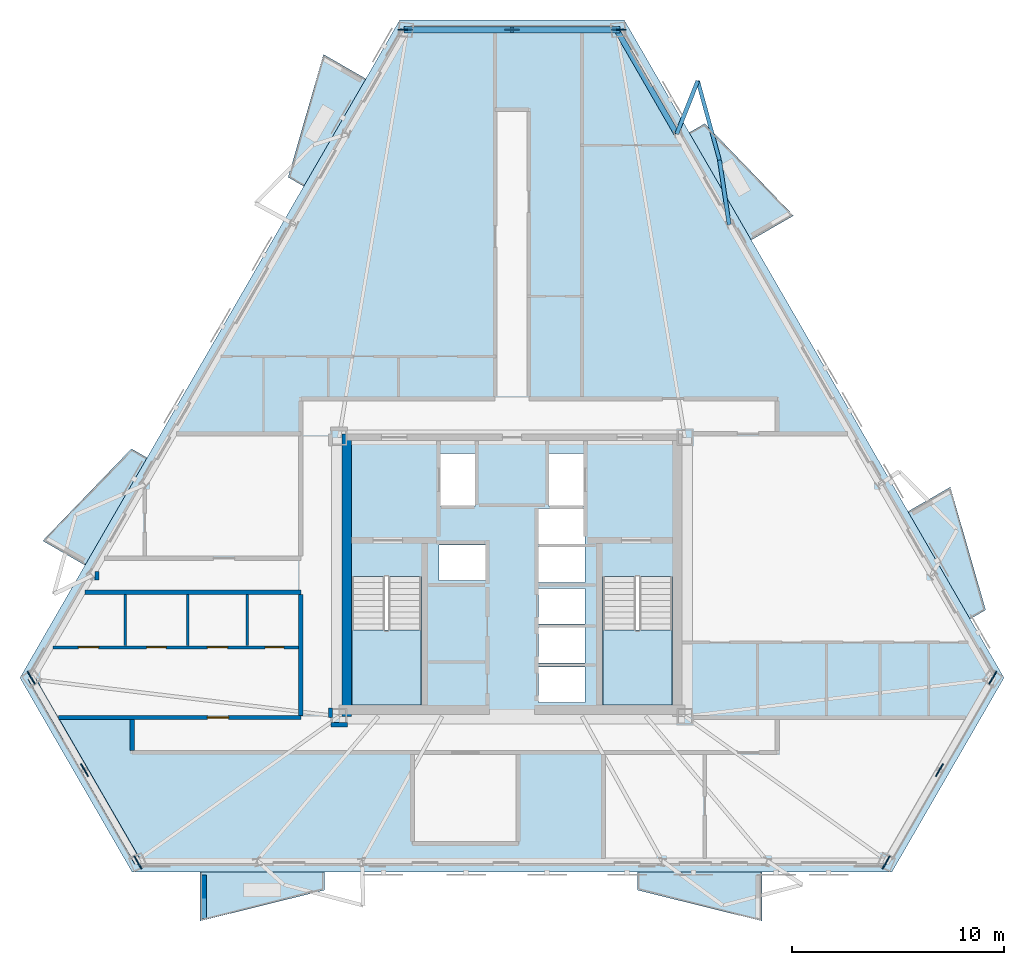
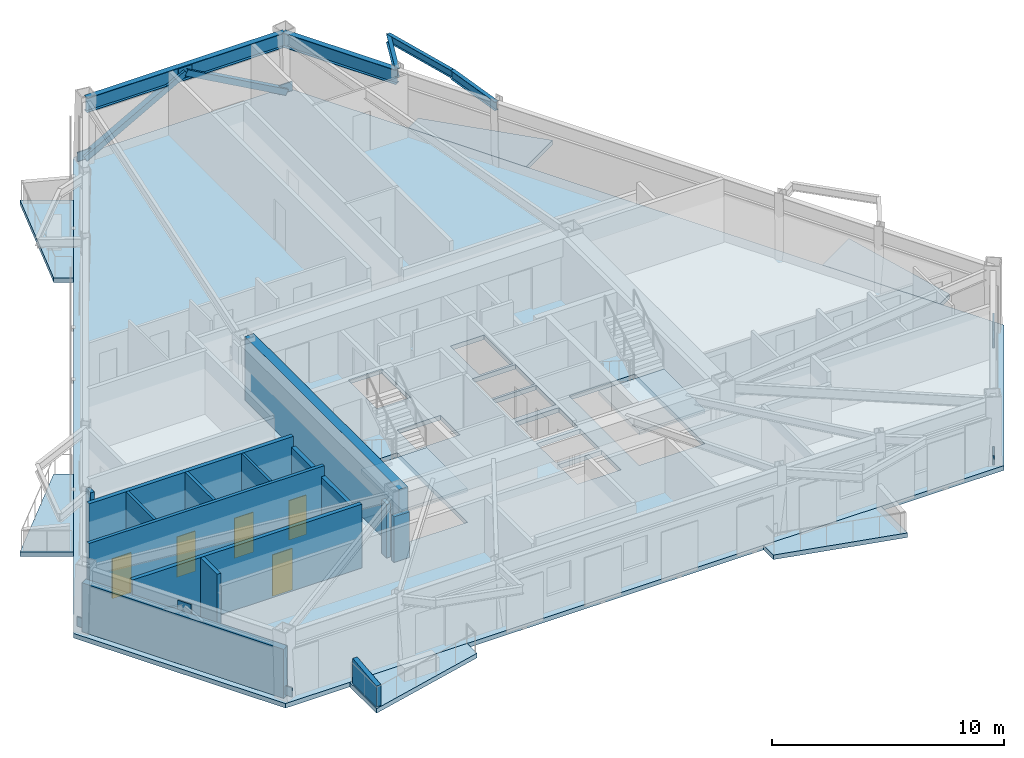
# One storey, part 2 of 9: 14 walls, 9 plates, 9 slabs, 5 beams, 5 doors, 2 members, 5 openings, 2 elements without a shape of their own.
"""IFC4 building model written with IfcOpenShell, lengths in metres."""

from ifc_helpers import new_model, si_unit, direction, frame, frame_2d, origin, origin_2d, place, context, subcontext, project, spatial, polyline, rectangle, hollow_rectangle, i_section, outline, extrude, material, layer, layer_set, material_profile, profile_set, type_object, element, fill, aggregate, save


model = new_model("IFC4")

# Units and contexts
model_context = context("Model", 3, precision=1e-05, world=origin(), true_north=direction((0.0, 1.0)))
body_context = subcontext(model_context, "Body", "Model", "MODEL_VIEW")
ifc_project = project(units=[si_unit("LENGTHUNIT", "METRE"), si_unit("AREAUNIT", "SQUARE_METRE"), si_unit("VOLUMEUNIT", "CUBIC_METRE"), si_unit("PLANEANGLEUNIT", "RADIAN"), si_unit("MASSUNIT", "GRAM", prefix="KILO")], contexts=[model_context])

# Site, building, storey
site_placement = place(None, origin())
site = spatial("IfcSite", under=ifc_project, at=site_placement, CompositionType="ELEMENT")
building_placement = place(site_placement, origin())
building = spatial("IfcBuilding", under=site, at=building_placement, Name="Oramaril Tower", CompositionType="ELEMENT")
storey_placement = place(building_placement, frame((0.0, 0.0, 138.60009765625)))
storey = spatial("IfcBuildingStorey", under=building, at=storey_placement, Name="L36", CompositionType="ELEMENT", Elevation=138.60009765625)

# Beams
ifc_material_1 = material(Name="Steel ASTM A572 Gr 50", Category="steel")
ifc_material_profile_1 = material_profile(ifc_material_1, i_section(OverallWidth=0.19091796875, OverallDepth=0.45703125, WebThickness=0.009033203125, FlangeThickness=0.014404296875, at=origin_2d()), Name="W18X50")
ifc_profile_set_1 = profile_set([ifc_material_profile_1], Name="Steel ASTM A572 Gr 50")
beam_type_1 = type_object("IfcBeamType", Name="BT-BB1", PredefinedType="BEAM", material=ifc_profile_set_1)
beam_1_placement = place(storey_placement, frame((47.736083984375, 34.169921875, 3.13134765625), z_axis=(-0.1483365802, 0.98893693377, 0.0), x_axis=(-0.98893693377, -0.1483365802, 0.0)))
element("IfcBeam", 1, at=beam_1_placement, inside=storey, type_object=beam_type_1, Name="L36 Balcony Column-Framed Cantilever 04.1", PredefinedType="BEAM", context=body_context, shape_type="SweptSolid", body=[
    extrude(i_section(OverallWidth=0.19091796875, OverallDepth=0.45703125, WebThickness=0.009033203125, FlangeThickness=0.014404296875, at=origin_2d()), origin(), (0.0, 0.0, 1.0), 3.082763671875),
])
beam_2_placement = place(storey_placement, frame((45.2626953125, 38.4541015625, 3.13134765625), z_axis=(0.369447284018, 0.929251690519, 0.0), x_axis=(-0.929251690519, 0.369447284018, 0.0)))
element("IfcBeam", 2, at=beam_2_placement, inside=storey, type_object=beam_type_1, Name="L36 Balcony Column-Framed Cantilever 04.2", PredefinedType="BEAM", context=body_context, shape_type="SweptSolid", body=[
    extrude(i_section(OverallWidth=0.19091796875, OverallDepth=0.45703125, WebThickness=0.009033203125, FlangeThickness=0.014404296875, at=origin_2d()), origin(), (0.0, 0.0, 1.0), 2.68701171875),
])
ifc_material_2 = material(Name="Steel ASTM A572 Gr 50", Category="steel")
ifc_material_profile_2 = material_profile(ifc_material_2, i_section(OverallWidth=0.177978515625, OverallDepth=0.404052734375, WebThickness=0.007568359375, FlangeThickness=0.010986328125, at=origin_2d()), Name="W16X36")
ifc_profile_set_2 = profile_set([ifc_material_profile_2], Name="Steel ASTM A572 Gr 50")
beam_type_2 = type_object("IfcBeamType", Name="BT-SB1", PredefinedType="BEAM", material=ifc_profile_set_2)
beam_3_placement = place(storey_placement, frame((47.27880859375, 37.218505859375, 3.157958984375), z_axis=(-0.264440915482, 0.964401888332, 0.0), x_axis=(-0.964401888332, -0.264440915482, 0.0)))
element("IfcBeam", 3, at=beam_3_placement, inside=storey, type_object=beam_type_2, Name="L36 Balcony Edge Tie Beam 04", PredefinedType="BEAM", context=body_context, shape_type="SweptSolid", body=[
    extrude(i_section(OverallWidth=0.177978515625, OverallDepth=0.404052734375, WebThickness=0.007568359375, FlangeThickness=0.010986328125, at=origin_2d()), origin(), (0.0, 0.0, 1.0), 3.8701171875),
])
ifc_material_3 = material(Name="Steel ASTM A572 Gr 50", Category="steel")
ifc_material_profile_3 = material_profile(ifc_material_3, i_section(OverallWidth=0.26708984375, OverallDepth=0.77001953125, WebThickness=0.015625, FlangeThickness=0.025390625, at=origin_2d()), Name="W30X132")
ifc_profile_set_3 = profile_set([ifc_material_profile_3], Name="Steel ASTM A572 Gr 50")
beam_type_3 = type_object("IfcBeamType", Name="BT-SP3", PredefinedType="SPANDREL", material=ifc_profile_set_3)
beam_4_placement = place(storey_placement, frame((45.2626953125, 38.4541015625, 2.974853515625), z_axis=(-0.499994095595, 0.866028812667, 0.0), x_axis=(-0.866028812667, -0.499994095595, 0.0)))
element("IfcBeam", 4, at=beam_4_placement, inside=storey, type_object=beam_type_3, Name="L36 Perimeter Spandrel 12", PredefinedType="SPANDREL", context=body_context, shape_type="SweptSolid", body=[
    extrude(i_section(OverallWidth=0.26708984375, OverallDepth=0.77001953125, WebThickness=0.015625, FlangeThickness=0.025390625, at=origin_2d()), origin(), (0.0, 0.0, 1.0), 5.6533203125),
])
beam_5_placement = place(storey_placement, frame((42.43603515625, 43.35009765625, 2.974853515625), z_axis=(-1.0, 0.0, 0.0), x_axis=(0.0, -1.0, 0.0)))
element("IfcBeam", 5, at=beam_5_placement, inside=storey, type_object=beam_type_3, Name="L36 Perimeter Spandrel 13", PredefinedType="SPANDREL", context=body_context, shape_type="SweptSolid", body=[
    extrude(i_section(OverallWidth=0.26708984375, OverallDepth=0.77001953125, WebThickness=0.015625, FlangeThickness=0.025390625, at=origin_2d()), origin(), (0.0, 0.0, 1.0), 9.8720703125),
])

# Members
ifc_material_4 = material(Name="Steel ASTM A572 Gr 50", Category="steel")
ifc_material_profile_4 = material_profile(ifc_material_4, hollow_rectangle(XDim=0.300048828125, YDim=0.300048828125, WallThickness=0.01611328125, at=origin_2d()), Name="HSS300X300X16")
ifc_profile_set_4 = profile_set([ifc_material_profile_4], Name="Steel ASTM A572 Gr 50")
member_type = type_object("IfcMemberType", Name="MT-KB2", PredefinedType="BRACE", material=ifc_profile_set_4)
for number, where, z_axis, x_axis, name in (
    (6, (42.5224609375, 43.359619140625, 0.179931640625), (-0.873812440942, 0.0, 0.486263116075), (0.0, -1.0, 0.0), "L36 Perimeter Chevron Brace KB-3A"),
    (7, (32.4775390625, 43.359619140625, 0.179931640625), (0.873812440942, 0.0, 0.486263116075), (0.0, 1.0, 0.0), "L36 Perimeter Chevron Brace KB-3B"),
):
    element("IfcMember", number, at=place(storey_placement, frame(where, z_axis=z_axis, x_axis=x_axis)), inside=storey, type_object=member_type, Name=name, PredefinedType="BRACE", context=body_context, shape_type="SweptSolid", body=[
        extrude(hollow_rectangle(XDim=0.300048828125, YDim=0.300048828125, WallThickness=0.01611328125, at=origin_2d()), origin(), (0.0, 0.0, 1.0), 5.747802734375),
    ])

# Plates
ifc_material_5 = material(Name="Steel ASTM A572 Gr 50", Category="steel")
ifc_layer_1 = layer(ifc_material_5, 0.06005859375)
ifc_layer_set_1 = layer_set([ifc_layer_1], Name="PLT-G60")
plate_type = type_object("IfcPlateType", Name="PLT-G60", PredefinedType="USERDEFINED", material=ifc_layer_set_1)
for number, where, z_axis, x_axis, name in (
    (8, (17.356689453125, 8.47021484375, 2.73486328125), (0.0, 0.0, 1.0), (0.500001511499, -0.866024531118, 0.0), "L36 Chevron Brace Gusset Plate BN-1"),
    (9, (14.845458984375, 12.81982421875, 0.099853515625), (0.0, 0.0, 1.0), (0.500001511499, -0.866024531118, 0.0), "L36 Chevron Brace Gusset Plate BN-1"),
    (10, (19.867919921875, 4.120849609375, 0.099853515625), (0.0, 0.0, 1.0), (0.500001511499, -0.866024531118, 0.0), "L36 Chevron Brace Gusset Plate BN-1"),
    (11, (57.643310546875, 8.47021484375, 2.73486328125), (0.0, 0.0, 1.0), (0.500001511499, 0.866024531118, 0.0), "L36 Chevron Brace Gusset Plate BN-1"),
    (12, (55.132080078125, 4.120849609375, 0.099853515625), (0.0, 0.0, 1.0), (0.500001511499, 0.866024531118, 0.0), "L36 Chevron Brace Gusset Plate BN-1"),
    (13, (60.154541015625, 12.81982421875, 0.099853515625), (0.0, 0.0, 1.0), (0.500001511499, 0.866024531118, 0.0), "L36 Chevron Brace Gusset Plate BN-1"),
    (14, (37.5, 43.359619140625, 2.73486328125), (0.0, 0.0, 1.0), (-1.0, 0.0, 0.0), "L36 Chevron Brace Gusset Plate BN-1"),
    (15, (42.5224609375, 43.359619140625, 0.099853515625), (0.0, 0.0, 1.0), (-1.0, 0.0, 0.0), "L36 Chevron Brace Gusset Plate BN-1"),
    (16, (32.4775390625, 43.359619140625, 0.099853515625), (0.0, 0.0, 1.0), (-1.0, 0.0, 0.0), "L36 Chevron Brace Gusset Plate BN-1"),
):
    element("IfcPlate", number, at=place(storey_placement, frame(where, z_axis=z_axis, x_axis=x_axis)), inside=storey, type_object=plate_type, Name=name, ObjectType="GUSSET", PredefinedType="USERDEFINED", context=body_context, shape_type="SweptSolid", body=[
        extrude(rectangle(XDim=0.679931640625, YDim=0.06005859375, at=origin_2d()), origin(), (0.0, 0.0, 1.0), 0.47998046875),
    ])

# Slabs
ifc_material_6 = material(Name="Concrete C40/50", Category="concrete")
ifc_layer_2 = layer(ifc_material_6, 0.199951171875)
ifc_layer_set_2 = layer_set([ifc_layer_2], Name="SLT-BAL20")
slab_type_1 = type_object("IfcSlabType", Name="SLT-BAL20", PredefinedType="FLOOR", material=ifc_layer_set_2)
slab_1_placement = place(storey_placement, frame((0.0, 0.0, -0.239990234375)))
element("IfcSlab", 17, at=slab_1_placement, inside=storey, type_object=slab_type_1, Name="L36 Cantilevered Balcony Slab L36-BAL-S2", PredefinedType="FLOOR", context=body_context, shape_type="SweptSolid", body=[
    extrude(outline(polyline([(43.422607421875, 3.662841796875), (49.272705078125, 3.662841796875), (49.272705078125, 1.36083984375), (43.422607421875, 2.810791015625), (43.422607421875, 3.662841796875)])), origin(), (0.0, 0.0, 1.0), 0.239990234375),
])
slab_2_placement = place(storey_placement, frame((0.0, 0.0, -0.239990234375)))
element("IfcSlab", 18, at=slab_2_placement, inside=storey, type_object=slab_type_1, Name="L36 Cantilevered Balcony Slab L36-BAL-NE1", PredefinedType="FLOOR", context=body_context, shape_type="SweptSolid", body=[
    extrude(outline(polyline([(59.083984375, 15.590087890625), (56.158935546875, 20.65625), (58.152587890625, 21.807373046875), (59.82177734375, 16.01611328125), (59.083984375, 15.590087890625)])), origin(), (0.0, 0.0, 1.0), 0.239990234375),
])
slab_3_placement = place(storey_placement, frame((0.0, 0.0, -0.239990234375)))
element("IfcSlab", 19, at=slab_3_placement, inside=storey, type_object=slab_type_1, Name="L36 Cantilevered Balcony Slab L36-BAL-NW2", PredefinedType="FLOOR", context=body_context, shape_type="SweptSolid", body=[
    extrude(outline(polyline([(20.303466796875, 23.189453125), (17.37841796875, 18.123291015625), (15.385009765625, 19.274169921875), (19.565673828125, 23.615478515625), (20.303466796875, 23.189453125)])), origin(), (0.0, 0.0, 1.0), 0.239990234375),
])
ifc_material_7 = material(Name="Concrete C50/60", Category="concrete")
ifc_layer_3 = layer(ifc_material_7, 0.239990234375)
ifc_layer_set_3 = layer_set([ifc_layer_3], Name="SLT-FLR24")
slab_type_2 = type_object("IfcSlabType", Name="SLT-FLR24", PredefinedType="FLOOR", material=ifc_layer_set_3)
slab_4_placement = place(storey_placement, frame((0.0, 0.0, -0.239990234375)))
element("IfcSlab", 20, at=slab_4_placement, inside=storey, type_object=slab_type_2, Name="L36 Structural Floor Slab", PredefinedType="FLOOR", context=body_context, shape_type="SweptSolid", body=[
    extrude(outline(polyline([(14.314208984375, 12.81982421875), (19.602294921875, 3.660888671875), (55.397705078125, 3.660888671875), (60.685791015625, 12.81982421875), (42.7880859375, 43.819580078125), (32.2119140625, 43.819580078125), (14.314208984375, 12.81982421875)]), holes=[polyline([(29.949951171875, 17.58935546875), (29.949951171875, 11.550048828125), (33.219970703125, 11.550048828125), (33.219970703125, 17.58935546875), (29.949951171875, 17.58935546875)]), polyline([(41.780029296875, 17.58935546875), (41.780029296875, 11.550048828125), (45.050048828125, 11.550048828125), (45.050048828125, 17.58935546875), (41.780029296875, 17.58935546875)]), polyline([(34.110107421875, 20.909912109375), (35.7900390625, 20.909912109375), (35.7900390625, 23.389892578125), (34.110107421875, 23.389892578125), (34.110107421875, 20.909912109375)]), polyline([(39.2099609375, 20.909912109375), (40.889892578125, 20.909912109375), (40.889892578125, 23.389892578125), (39.2099609375, 23.389892578125), (39.2099609375, 20.909912109375)]), polyline([(38.760009765625, 11.659912109375), (40.93994140625, 11.659912109375), (40.93994140625, 13.340087890625), (38.760009765625, 13.340087890625), (38.760009765625, 11.659912109375)]), polyline([(38.760009765625, 13.510009765625), (40.93994140625, 13.510009765625), (40.93994140625, 15.18994140625), (38.760009765625, 15.18994140625), (38.760009765625, 13.510009765625)]), polyline([(38.760009765625, 15.360107421875), (40.93994140625, 15.360107421875), (40.93994140625, 17.0400390625), (38.760009765625, 17.0400390625), (38.760009765625, 15.360107421875)]), polyline([(34.06005859375, 17.409912109375), (36.239990234375, 17.409912109375), (36.239990234375, 19.090087890625), (34.06005859375, 19.090087890625), (34.06005859375, 17.409912109375)]), polyline([(38.760009765625, 17.31005859375), (40.93994140625, 17.31005859375), (40.93994140625, 18.989990234375), (38.760009765625, 18.989990234375), (38.760009765625, 17.31005859375)]), polyline([(38.760009765625, 19.110107421875), (40.93994140625, 19.110107421875), (40.93994140625, 20.7900390625), (38.760009765625, 20.7900390625), (38.760009765625, 19.110107421875)])]), origin(), (0.0, 0.0, 1.0), 0.239990234375),
])

# Stair, slab
ifc_material_8 = material(Name="Concrete C50/60", Category="concrete")
stair_type = type_object("IfcStairType", Name="STT-DG-3600", PredefinedType="HALF_TURN_STAIR", material=ifc_material_8)
stair_1_placement = place(storey_placement, origin())
stair_1 = element("IfcStair", 21, at=stair_1_placement, inside=storey, type_object=stair_type, Name="L36 Protected PFP Exit Stair ST-1", PredefinedType="HALF_TURN_STAIR")
ifc_material_9 = material(Name="Concrete C50/60", Category="concrete")
ifc_layer_4 = layer(ifc_material_9, 0.199951171875)
ifc_layer_set_4 = layer_set([ifc_layer_4], Name="SLT-LND20")
slab_type_3 = type_object("IfcSlabType", Name="SLT-LND20", PredefinedType="LANDING", material=ifc_layer_set_4)
slab_5_placement = place(storey_placement, frame((0.0, 0.0, 1.599853515625)))
slab_5 = element("IfcSlab", 22, at=slab_5_placement, type_object=slab_type_3, Name="ST-1 landing 1", PredefinedType="LANDING", context=body_context, shape_type="SweptSolid", body=[
    extrude(outline(polyline([(29.949951171875, 15.070068359375), (29.949951171875, 11.550048828125), (33.219970703125, 11.550048828125), (33.219970703125, 15.070068359375), (29.949951171875, 15.070068359375)])), origin(), (0.0, 0.0, 1.0), 0.199951171875),
])
aggregate(stair_1, [slab_5])

stair_2_placement = place(storey_placement, origin())
stair_2 = element("IfcStair", 23, at=stair_2_placement, inside=storey, type_object=stair_type, Name="L36 Protected PFP Exit Stair ST-2", PredefinedType="HALF_TURN_STAIR")
slab_6_placement = place(storey_placement, frame((0.0, 0.0, 1.599853515625)))
slab_6 = element("IfcSlab", 24, at=slab_6_placement, type_object=slab_type_3, Name="ST-2 landing 1", PredefinedType="LANDING", context=body_context, shape_type="SweptSolid", body=[
    extrude(outline(polyline([(41.780029296875, 15.070068359375), (41.780029296875, 11.550048828125), (45.050048828125, 11.550048828125), (45.050048828125, 15.070068359375), (41.780029296875, 15.070068359375)])), origin(), (0.0, 0.0, 1.0), 0.199951171875),
])
aggregate(stair_2, [slab_6])

# Slabs
ifc_material_10 = material(Name="Concrete C40/50", Category="concrete")
ifc_layer_5 = layer(ifc_material_10, 0.18994140625)
ifc_layer_set_5 = layer_set([ifc_layer_5], Name="SLT-PLN19")
slab_type_4 = type_object("IfcSlabType", Name="SLT-PLN19", PredefinedType="FLOOR", material=ifc_layer_set_5)
slab_7_placement = place(storey_placement, frame((0.0, 0.0, -0.239990234375)))
element("IfcSlab", 25, at=slab_7_placement, inside=storey, type_object=slab_type_4, Name="L36 Tree Planter Balcony Slab L36-BAL-S1", PredefinedType="FLOOR", context=body_context, shape_type="SweptSolid", body=[
    extrude(outline(polyline([(22.80224609375, 3.662841796875), (28.65234375, 3.662841796875), (28.65234375, 2.810791015625), (22.80224609375, 1.36083984375), (22.80224609375, 3.662841796875)])), origin(), (0.0, 0.0, 1.0), 0.239990234375),
])
slab_8_placement = place(storey_placement, frame((0.0, 0.0, -0.239990234375)))
element("IfcSlab", 26, at=slab_8_placement, inside=storey, type_object=slab_type_4, Name="L36 Tree Planter Balcony Slab L36-BAL-NE2", PredefinedType="FLOOR", context=body_context, shape_type="SweptSolid", body=[
    extrude(outline(polyline([(48.773681640625, 33.44775390625), (45.848876953125, 38.51416015625), (46.586669921875, 38.940185546875), (50.767333984375, 34.598876953125), (48.773681640625, 33.44775390625)])), origin(), (0.0, 0.0, 1.0), 0.239990234375),
])
slab_9_placement = place(storey_placement, frame((0.0, 0.0, -0.239990234375)))
element("IfcSlab", 27, at=slab_9_placement, inside=storey, type_object=slab_type_4, Name="L36 Tree Planter Balcony Slab L36-BAL-NW1", PredefinedType="FLOOR", context=body_context, shape_type="SweptSolid", body=[
    extrude(outline(polyline([(30.61376953125, 41.047119140625), (27.688720703125, 35.98095703125), (26.950927734375, 36.406982421875), (28.6201171875, 42.1982421875), (30.61376953125, 41.047119140625)])), origin(), (0.0, 0.0, 1.0), 0.239990234375),
])

# Walls
ifc_material_11 = material(Name="Warm Cream Limestone", Category="masonry")
ifc_layer_6 = layer(ifc_material_11, 0.340087890625)
ifc_layer_set_6 = layer_set([ifc_layer_6], Name="WT-EXT34")
wall_type_1 = type_object("IfcWallType", Name="WT-EXT34", PredefinedType="SOLIDWALL", material=ifc_layer_set_6)
wall_1_placement = place(storey_placement, frame((14.845458984375, 12.81982421875, 0.0), z_axis=(0.0, 0.0, 1.0), x_axis=(0.500007885066, -0.866020851292, 0.0)))
element("IfcWall", 28, at=wall_1_placement, inside=storey, type_object=wall_type_1, Name="L36 Tower Limestone Facade Wall 1M", PredefinedType="SOLIDWALL", context=body_context, shape_type="SweptSolid", body=[
    extrude(rectangle(XDim=10.044677734375, YDim=0.340087890625, at=frame_2d((5.0224609375, 0.0))), origin(), (0.0, 0.0, 1.0), 2.579833984375),
])
ifc_material_12 = material(Name="Concrete C40/50", Category="concrete")
ifc_layer_7 = layer(ifc_material_12, 0.22998046875)
ifc_layer_set_7 = layer_set([ifc_layer_7], Name="WT-PRP23")
wall_type_2 = type_object("IfcWallType", Name="WT-PRP23", PredefinedType="PARAPET", material=ifc_layer_set_7)
wall_2_placement = place(storey_placement, frame((22.982421875, 3.522705078125, 0.0), z_axis=(0.0, 0.0, 1.0), x_axis=(0.0, -1.0, 0.0)))
element("IfcWall", 29, at=wall_2_placement, inside=storey, type_object=wall_type_2, Name="L36 Trapezoidal Balcony Frame Cheek L36-BAL-S1-L", PredefinedType="PARAPET", context=body_context, shape_type="SweptSolid", body=[
    extrude(outline(polyline([(0.0, 0.0), (2.0419921875, 0.0), (2.0419921875, 1.099853515625), (0.0, 1.31982421875), (0.0, 0.0)])), frame((0.0, 0.114990234375, 0.0), z_axis=(0.0, -1.0, 0.0), x_axis=(1.0, 0.0, 0.0)), (0.0, 0.0, 1.0), 0.22998046875),
])
ifc_material_13 = material(Name="Acoustic Gypsum Board Partition")
ifc_layer_8 = layer(ifc_material_13, 0.1201171875)
ifc_layer_set_8 = layer_set([ifc_layer_8], Name="WT-PT12")
wall_type_3 = type_object("IfcWallType", Name="WT-PT12", PredefinedType="PARTITIONING", material=ifc_layer_set_8)
for number, where, z_axis, x_axis, name in (
    (30, (19.27001953125, 14.333984375, 0.0), (0.0, 0.0, 1.0), (0.0, 1.0, 0.0), "L36 Interior Partition PT-12"),
    (31, (25.030029296875, 14.333984375, 0.0), (0.0, 0.0, 1.0), (0.0, 1.0, 0.0), "L36 Interior Partition PT-12"),
):
    element("IfcWall", number, at=place(storey_placement, frame(where, z_axis=z_axis, x_axis=x_axis)), inside=storey, type_object=wall_type_3, Name=name, PredefinedType="PARTITIONING", context=body_context, shape_type="SweptSolid", body=[
        extrude(rectangle(XDim=2.412109375, YDim=0.1201171875, at=frame_2d((1.2060546875, 0.0))), origin(), (0.0, 0.0, 1.0), 3.35986328125),
    ])
ifc_material_14 = material(Name="Acoustic Gypsum Board Partition")
ifc_layer_9 = layer(ifc_material_14, 0.139892578125)
ifc_layer_set_9 = layer_set([ifc_layer_9], Name="WT-PT14")
wall_type_4 = type_object("IfcWallType", Name="WT-PT14", PredefinedType="PARTITIONING", material=ifc_layer_set_9)
wall_3_placement = place(storey_placement, frame((22.219970703125, 14.333984375, 0.0), z_axis=(0.0, 0.0, 1.0), x_axis=(0.0, 1.0, 0.0)))
element("IfcWall", 32, at=wall_3_placement, inside=storey, type_object=wall_type_4, Name="L36 Interior Partition PT-14", PredefinedType="PARTITIONING", context=body_context, shape_type="SweptSolid", body=[
    extrude(rectangle(XDim=2.412109375, YDim=0.139892578125, at=frame_2d((1.2060546875, 0.0))), origin(), (0.0, 0.0, 1.0), 3.35986328125),
])

# Wall, openings, doors
ifc_material_15 = material(Name="Acoustic Gypsum Board Partition")
ifc_layer_10 = layer(ifc_material_15, 0.159912109375)
ifc_layer_set_10 = layer_set([ifc_layer_10], Name="WT-PT16")
wall_type_5 = type_object("IfcWallType", Name="WT-PT16", PredefinedType="PARTITIONING", material=ifc_layer_set_10)
wall_4_placement = place(storey_placement, frame((15.8720703125, 14.25, 0.0), z_axis=(0.0, 0.0, 1.0), x_axis=(1.0, 0.0, 0.0)))
wall_4 = element("IfcWall", 33, at=wall_4_placement, inside=storey, type_object=wall_type_5, Name="L36 Interior Partition PT-16", PredefinedType="PARTITIONING", context=body_context, shape_type="SweptSolid", body=[
    extrude(rectangle(XDim=11.72802734375, YDim=0.159912109375, at=frame_2d((5.864013671875, 0.0))), origin(), (0.0, 0.0, 1.0), 3.35986328125),
])
opening_1_placement = place(wall_4_placement, frame((1.19775390625, 0.0, 0.0)))
opening_1 = element("IfcOpeningElement", 34, at=opening_1_placement, cuts=wall_4, Name="Opening D-L36-04", PredefinedType="OPENING", context=body_context, shape_type="SweptSolid", body=[
    extrude(rectangle(XDim=0.949951171875, YDim=2.10009765625, at=frame_2d((0.47509765625, 1.050048828125))), frame((0.0, 0.080078125, 0.0), z_axis=(0.0, -1.0, 0.0), x_axis=(1.0, 0.0, 0.0)), (0.0, 0.0, 1.0), 0.159912109375),
])
opening_2_placement = place(wall_4_placement, frame((4.412841796875, 0.0, 0.0)))
opening_2 = element("IfcOpeningElement", 35, at=opening_2_placement, cuts=wall_4, Name="Opening D-L36-05", PredefinedType="OPENING", context=body_context, shape_type="SweptSolid", body=[
    extrude(rectangle(XDim=0.919921875, YDim=2.1201171875, at=frame_2d((0.4599609375, 1.06005859375))), frame((0.0, 0.080078125, 0.0), z_axis=(0.0, -1.0, 0.0), x_axis=(1.0, 0.0, 0.0)), (0.0, 0.0, 1.0), 0.159912109375),
])
opening_3_placement = place(wall_4_placement, frame((7.2763671875, 0.0, 0.0)))
opening_3 = element("IfcOpeningElement", 36, at=opening_3_placement, cuts=wall_4, Name="Opening D-L36-06", PredefinedType="OPENING", context=body_context, shape_type="SweptSolid", body=[
    extrude(rectangle(XDim=0.949951171875, YDim=2.10009765625, at=frame_2d((0.47509765625, 1.050048828125))), frame((0.0, 0.080078125, 0.0), z_axis=(0.0, -1.0, 0.0), x_axis=(1.0, 0.0, 0.0)), (0.0, 0.0, 1.0), 0.159912109375),
])
opening_4_placement = place(wall_4_placement, frame((9.992919921875, 0.0, 0.0)))
opening_4 = element("IfcOpeningElement", 37, at=opening_4_placement, cuts=wall_4, Name="Opening D-L36-07", PredefinedType="OPENING", context=body_context, shape_type="SweptSolid", body=[
    extrude(rectangle(XDim=0.8798828125, YDim=2.080078125, at=frame_2d((0.43994140625, 1.0400390625))), frame((0.0, 0.080078125, 0.0), z_axis=(0.0, -1.0, 0.0), x_axis=(1.0, 0.0, 0.0)), (0.0, 0.0, 1.0), 0.159912109375),
])
ifc_material_16 = material(Name="FSC Brazilian Freijo Hardwood", Category="wood")
door_type_1 = type_object("IfcDoorType", Name="DT-BATH", OperationType="NOTDEFINED", PredefinedType="DOOR", material=ifc_material_16)
door_1_placement = place(opening_4_placement, origin())
door_1 = element("IfcDoor", 38, at=door_1_placement, inside=storey, type_object=door_type_1, Name="L36 Flat L36-U3 Bathroom Door D-L36-07", OperationType="SINGLE_SWING_LEFT", OverallHeight=2.080078125, OverallWidth=0.8798828125, PredefinedType="DOOR", context=body_context, shape_type="SweptSolid", body=[
    extrude(rectangle(XDim=0.8798828125, YDim=2.080078125, at=frame_2d((0.43994140625, 1.0400390625))), frame((0.0, 0.02490234375, 0.0), z_axis=(0.0, -1.0, 0.0), x_axis=(1.0, 0.0, 0.0)), (0.0, 0.0, 1.0), 0.050048828125),
])
fill(opening_4, door_1)
ifc_material_17 = material(Name="FSC Brazilian Freijo Hardwood", Category="wood")
door_type_2 = type_object("IfcDoorType", Name="DT-BED", OperationType="NOTDEFINED", PredefinedType="DOOR", material=ifc_material_17)
door_2_placement = place(opening_2_placement, origin())
door_2 = element("IfcDoor", 39, at=door_2_placement, inside=storey, type_object=door_type_2, Name="L36 Flat L36-U3 Bedroom 2 Door D-L36-05", OperationType="SINGLE_SWING_LEFT", OverallHeight=2.1201171875, OverallWidth=0.919921875, PredefinedType="DOOR", context=body_context, shape_type="SweptSolid", body=[
    extrude(rectangle(XDim=0.919921875, YDim=2.1201171875, at=frame_2d((0.4599609375, 1.06005859375))), frame((0.0, 0.02490234375, 0.0), z_axis=(0.0, -1.0, 0.0), x_axis=(1.0, 0.0, 0.0)), (0.0, 0.0, 1.0), 0.050048828125),
])
fill(opening_2, door_2)
ifc_material_18 = material(Name="FSC Brazilian Freijo Hardwood", Category="wood")
door_type_3 = type_object("IfcDoorType", Name="DT-STDY", OperationType="NOTDEFINED", PredefinedType="DOOR", material=ifc_material_18)
door_3_placement = place(opening_1_placement, origin())
door_3 = element("IfcDoor", 40, at=door_3_placement, inside=storey, type_object=door_type_3, Name="L36 Flat L36-U3 Breakfast Dining Room Door D-L36-04", OperationType="SINGLE_SWING_RIGHT", OverallHeight=2.10009765625, OverallWidth=0.949951171875, PredefinedType="DOOR", context=body_context, shape_type="SweptSolid", body=[
    extrude(rectangle(XDim=0.949951171875, YDim=2.10009765625, at=frame_2d((0.47509765625, 1.050048828125))), frame((0.0, 0.02490234375, 0.0), z_axis=(0.0, -1.0, 0.0), x_axis=(1.0, 0.0, 0.0)), (0.0, 0.0, 1.0), 0.050048828125),
])
fill(opening_1, door_3)
door_4_placement = place(opening_3_placement, origin())
door_4 = element("IfcDoor", 41, at=door_4_placement, inside=storey, type_object=door_type_3, Name="L36 Flat L36-U3 Kitchen Door D-L36-06", OperationType="SINGLE_SWING_RIGHT", OverallHeight=2.10009765625, OverallWidth=0.949951171875, PredefinedType="DOOR", context=body_context, shape_type="SweptSolid", body=[
    extrude(rectangle(XDim=0.949951171875, YDim=2.10009765625, at=frame_2d((0.47509765625, 1.050048828125))), frame((0.0, 0.02490234375, 0.0), z_axis=(0.0, -1.0, 0.0), x_axis=(1.0, 0.0, 0.0)), (0.0, 0.0, 1.0), 0.050048828125),
])
fill(opening_3, door_4)

# Wall
ifc_material_19 = material(Name="Autoclaved Cellular Concrete Block", Category="concrete")
ifc_layer_11 = layer(ifc_material_19, 0.199951171875)
ifc_layer_set_11 = layer_set([ifc_layer_11], Name="WT-PT20")
wall_type_6 = type_object("IfcWallType", Name="WT-PT20", PredefinedType="PARTITIONING", material=ifc_layer_set_11)
wall_5_placement = place(storey_placement, frame((28.9599609375, 10.610107421875, 0.0), z_axis=(0.0, 0.0, 1.0), x_axis=(1.0, 0.0, 0.0)))
element("IfcWall", 42, at=wall_5_placement, inside=storey, type_object=wall_type_6, Name="L36 Interior Partition PT-20", PredefinedType="PARTITIONING", context=body_context, shape_type="SweptSolid", body=[
    extrude(rectangle(XDim=0.780029296875, YDim=0.199951171875, at=frame_2d((0.39013671875, 0.0))), origin(), (0.0, 0.0, 1.0), 2.39990234375),
])

# Wall, opening, door
wall_6_placement = place(storey_placement, frame((16.1259765625, 10.949951171875, 0.0), z_axis=(0.0, 0.0, 1.0), x_axis=(1.0, 0.0, 0.0)))
wall_6 = element("IfcWall", 43, at=wall_6_placement, inside=storey, type_object=wall_type_6, Name="L36 Interior Partition PT-20", PredefinedType="PARTITIONING", context=body_context, shape_type="SweptSolid", body=[
    extrude(rectangle(XDim=11.424072265625, YDim=0.199951171875, at=frame_2d((5.7119140625, 0.0))), origin(), (0.0, 0.0, 1.0), 3.35986328125),
])
opening_5_placement = place(wall_6_placement, frame((7.023193359375, 0.0, 0.0)))
opening_5 = element("IfcOpeningElement", 44, at=opening_5_placement, cuts=wall_6, Name="Opening D-L36-03", PredefinedType="OPENING", context=body_context, shape_type="SweptSolid", body=[
    extrude(rectangle(XDim=1.0, YDim=2.179931640625, at=frame_2d((0.5, 1.08984375))), frame((0.0, 0.10009765625, 0.0), z_axis=(0.0, -1.0, 0.0), x_axis=(1.0, 0.0, 0.0)), (0.0, 0.0, 1.0), 0.199951171875),
])
ifc_material_20 = material(Name="FSC Brazilian Freijo Hardwood", Category="wood")
door_type_4 = type_object("IfcDoorType", Name="DT-APT", OperationType="NOTDEFINED", PredefinedType="DOOR", material=ifc_material_20)
door_5_placement = place(opening_5_placement, origin())
door_5 = element("IfcDoor", 45, at=door_5_placement, inside=storey, type_object=door_type_4, Name="L36 Flat L36-U3 Living and Dining Room Door D-L36-03", OperationType="SINGLE_SWING_LEFT", OverallHeight=2.179931640625, OverallWidth=1.0, PredefinedType="DOOR", context=body_context, shape_type="SweptSolid", body=[
    extrude(rectangle(XDim=1.0, YDim=2.179931640625, at=frame_2d((0.5, 1.08984375))), frame((0.0, 0.02490234375, 0.0), z_axis=(0.0, -1.0, 0.0), x_axis=(1.0, 0.0, 0.0)), (0.0, 0.0, 1.0), 0.050048828125),
])
fill(opening_5, door_5)

# Walls
wall_7_placement = place(storey_placement, frame((17.373291015625, 16.85009765625, 0.0), z_axis=(0.0, 0.0, 1.0), x_axis=(1.0, 0.0, 0.0)))
element("IfcWall", 46, at=wall_7_placement, inside=storey, type_object=wall_type_6, Name="L36 Interior Partition PT-20", PredefinedType="PARTITIONING", context=body_context, shape_type="SweptSolid", body=[
    extrude(rectangle(XDim=10.1767578125, YDim=0.199951171875, at=frame_2d((5.08837890625, 0.0))), origin(), (0.0, 0.0, 1.0), 3.35986328125),
])
wall_8_placement = place(storey_placement, frame((17.93994140625, 17.42626953125, 0.0), z_axis=(0.0, 0.0, 1.0), x_axis=(0.0, 1.0, 0.0)))
element("IfcWall", 47, at=wall_8_placement, inside=storey, type_object=wall_type_6, Name="L36 Interior Partition PT-20", PredefinedType="PARTITIONING", context=body_context, shape_type="SweptSolid", body=[
    extrude(rectangle(XDim=0.4052734375, YDim=0.199951171875, at=frame_2d((0.20263671875, 0.0))), origin(), (0.0, 0.0, 1.0), 3.35986328125),
])
wall_9_placement = place(storey_placement, frame((19.60009765625, 9.404052734375, 0.0), z_axis=(0.0, 0.0, 1.0), x_axis=(0.0, 1.0, 0.0)))
element("IfcWall", 48, at=wall_9_placement, inside=storey, type_object=wall_type_6, Name="L36 Interior Partition PT-20", PredefinedType="PARTITIONING", context=body_context, shape_type="SweptSolid", body=[
    extrude(rectangle(XDim=1.44189453125, YDim=0.199951171875, at=frame_2d((0.720947265625, 0.0))), origin(), (0.0, 0.0, 1.0), 3.35986328125),
])
wall_10_placement = place(storey_placement, frame((27.550048828125, 11.053955078125, 0.0), z_axis=(0.0, 0.0, 1.0), x_axis=(0.0, 1.0, 0.0)))
element("IfcWall", 49, at=wall_10_placement, inside=storey, type_object=wall_type_6, Name="L36 Interior Partition PT-20", PredefinedType="PARTITIONING", context=body_context, shape_type="SweptSolid", body=[
    extrude(rectangle(XDim=5.692138671875, YDim=0.199951171875, at=frame_2d((2.84619140625, 0.0))), origin(), (0.0, 0.0, 1.0), 2.822021484375),
])
wall_11_placement = place(storey_placement, frame((28.949951171875, 10.949951171875, 0.0), z_axis=(0.0, 0.0, 1.0), x_axis=(0.0, 1.0, 0.0)))
element("IfcWall", 50, at=wall_11_placement, inside=storey, type_object=wall_type_6, Name="L36 Interior Partition PT-20", PredefinedType="PARTITIONING", context=body_context, shape_type="SweptSolid", body=[
    extrude(rectangle(XDim=0.445068359375, YDim=0.199951171875, at=frame_2d((0.22265625, 0.0))), origin(), (0.0, 0.0, 1.0), 2.822021484375),
])
ifc_material_21 = material(Name="Concrete C50/60", Category="concrete")
ifc_layer_12 = layer(ifc_material_21, 0.449951171875)
ifc_layer_set_12 = layer_set([ifc_layer_12], Name="WT-SH45")
wall_type_7 = type_object("IfcWallType", Name="WT-SH45", PredefinedType="SHEAR", material=ifc_layer_set_12)
wall_12_placement = place(storey_placement, frame((29.715087890625, 11.0, 0.0), z_axis=(0.0, 0.0, 1.0), x_axis=(0.0, 1.0, 0.0)))
element("IfcWall", 51, at=wall_12_placement, inside=storey, type_object=wall_type_7, Name="L36 Core Shear Wall CW-W", PredefinedType="SHEAR", context=body_context, shape_type="SweptSolid", body=[
    extrude(rectangle(XDim=13.300048828125, YDim=0.449951171875, at=frame_2d((6.64990234375, 0.0))), origin(), (0.0, 0.0, 1.0), 3.35986328125),
])

save(model, "model.ifc")
